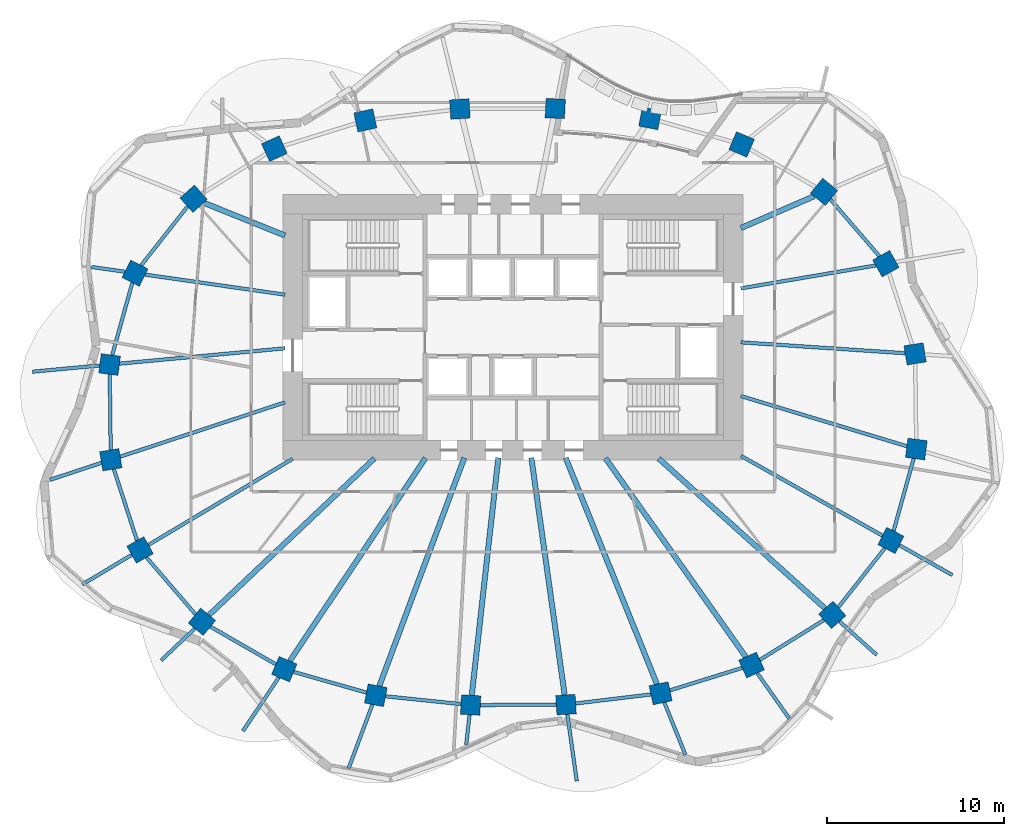
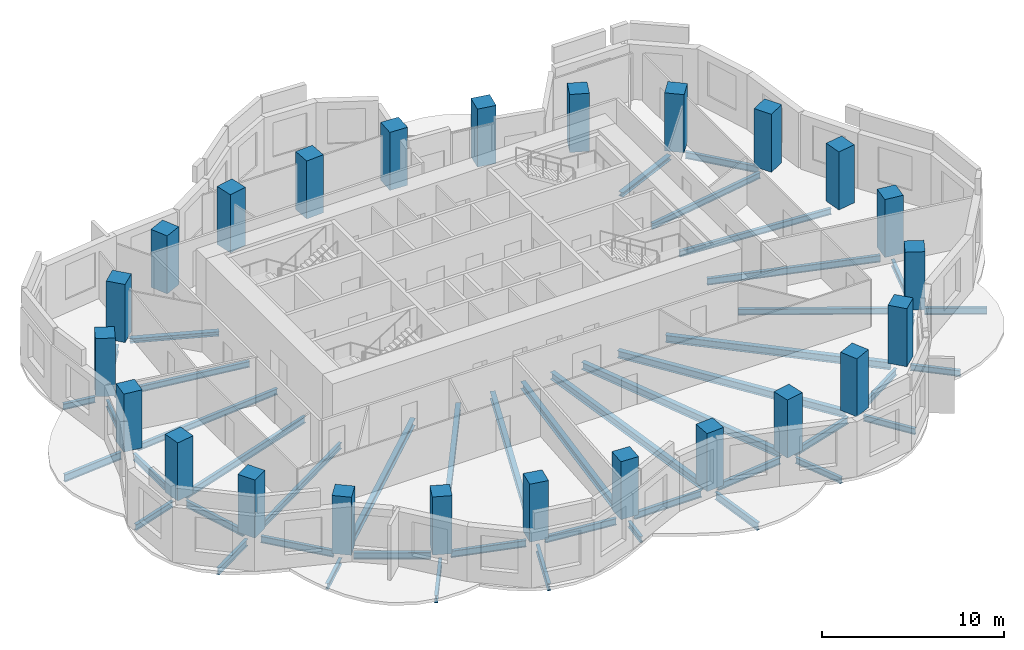
# One storey, part 1 of 11: 46 beams, 24 columns.
"""IFC4 building model written with IfcOpenShell, lengths in metres."""

from ifc_helpers import new_model, si_unit, direction, frame, origin, origin_2d, place, context, subcontext, project, spatial, rectangle, i_section, extrude, material, material_profile, profile_set, type_object, element, save


model = new_model("IFC4")

# Units and contexts
model_context = context("Model", 3, precision=1e-05, world=origin(), true_north=direction((0.0, 1.0)))
body_context = subcontext(model_context, "Body", "Model", "MODEL_VIEW")
ifc_project = project(units=[si_unit("LENGTHUNIT", "METRE"), si_unit("AREAUNIT", "SQUARE_METRE"), si_unit("VOLUMEUNIT", "CUBIC_METRE"), si_unit("PLANEANGLEUNIT", "RADIAN"), si_unit("MASSUNIT", "GRAM", prefix="KILO")], contexts=[model_context])

# Site, building, storey
site_placement = place(None, origin())
site = spatial("IfcSite", under=ifc_project, at=site_placement, CompositionType="ELEMENT")
building_placement = place(site_placement, origin())
building = spatial("IfcBuilding", under=site, at=building_placement, Name="Rubra Terraces Tower", CompositionType="ELEMENT")
storey_placement = place(building_placement, frame((0.0, 0.0, 146.10009765625)))
storey = spatial("IfcBuildingStorey", under=building, at=storey_placement, Name="L35", CompositionType="ELEMENT", Elevation=146.10009765625)

# Columns
ifc_material_1 = material(Name="Concrete C50", Category="concrete")
ifc_material_profile_1 = material_profile(ifc_material_1, rectangle(XDim=1.10009765625, YDim=1.10009765625, at=origin_2d()), Name="RC 1100x1100")
ifc_profile_set_1 = profile_set([ifc_material_profile_1], Name="Concrete C50")
column_type = type_object("IfcColumnType", Name="RING COLUMN RC 1100x1100 C50", PredefinedType="COLUMN", material=ifc_profile_set_1)
for number, where, z_axis, x_axis, name in (
    (1, (22.73388671875, 2.992919921875, 0.0), (0.0, 0.0, 1.0), (-0.162062155721, 0.986780551938, 0.0), "column-L35-ring-01"),
    (2, (21.0810546875, 8.090087890625, 0.0), (0.0, 0.0, 1.0), (-0.490161823029, 0.8716314515, 0.0), "column-L35-ring-02"),
    (3, (17.583984375, 12.15087890625, 0.0), (0.0, 0.0, 1.0), (-0.770679191336, 0.637223339216, 0.0), "column-L35-ring-03"),
    (4, (12.927001953125, 14.83203125, 0.0), (0.0, 0.0, 1.0), (-0.92110553102, 0.389312985558, 0.0), "column-L35-ring-04"),
    (5, (7.7509765625, 16.306884765625, 0.0), (0.0, 0.0, 1.0), (-0.981936574306, 0.189210369799, 0.0), "column-L35-ring-05"),
    (6, (2.39208984375, 16.862060546875, 0.0), (0.0, 0.0, 1.0), (-0.998791416829, 0.049149828786, 0.0), "column-L35-ring-06"),
    (7, (-2.9990234375, 16.8359375, 0.0), (0.0, 0.0, 1.0), (-0.998059443319, -0.062268351524, 0.0), "column-L35-ring-07"),
    (8, (-8.346923828125, 16.19189453125, 0.0), (0.0, 0.0, 1.0), (-0.977944102772, -0.208866780156, 0.0), "column-L35-ring-08"),
    (9, (-13.487060546875, 14.595947265625, 0.0), (0.0, 0.0, 1.0), (-0.90972649622, -0.415208022652, 0.0), "column-L35-ring-09"),
    (10, (-18.051025390625, 11.762939453125, 0.0), (0.0, 0.0, 1.0), (-0.7456420961, -0.66634665492, 0.0), "column-L35-ring-10"),
    (11, (-21.366943359375, 7.553955078125, 0.0), (0.0, 0.0, 1.0), (-0.452078869866, -0.891977968013, 0.0), "column-L35-ring-11"),
    (12, (-22.802001953125, 2.388916015625, 0.0), (0.0, 0.0, 1.0), (-0.128535191473, -0.991704948336, 0.0), "column-L35-ring-12"),
    (13, (-22.73388671875, -2.992919921875, 0.0), (0.0, 0.0, 1.0), (0.162062155721, -0.986780551938, 0.0), "column-L35-ring-13"),
    (14, (-21.0810546875, -8.090087890625, 0.0), (0.0, 0.0, 1.0), (0.490161823029, -0.8716314515, 0.0), "column-L35-ring-14"),
    (15, (-17.583984375, -12.15087890625, 0.0), (0.0, 0.0, 1.0), (0.770679191336, -0.637223339216, 0.0), "column-L35-ring-15"),
    (16, (-12.927001953125, -14.83203125, 0.0), (0.0, 0.0, 1.0), (0.92110553102, -0.389312985558, 0.0), "column-L35-ring-16"),
    (17, (-7.7509765625, -16.306884765625, 0.0), (0.0, 0.0, 1.0), (0.981936574306, -0.189210369799, 0.0), "column-L35-ring-17"),
    (18, (-2.39208984375, -16.862060546875, 0.0), (0.0, 0.0, 1.0), (0.998791416829, -0.049149828786, 0.0), "column-L35-ring-18"),
    (19, (2.9990234375, -16.8359375, 0.0), (0.0, 0.0, 1.0), (0.998059443319, 0.062268351524, 0.0), "column-L35-ring-19"),
    (20, (8.346923828125, -16.19189453125, 0.0), (0.0, 0.0, 1.0), (0.977944102772, 0.208866780156, 0.0), "column-L35-ring-20"),
    (21, (13.487060546875, -14.595947265625, 0.0), (0.0, 0.0, 1.0), (0.90972649622, 0.415208022652, 0.0), "column-L35-ring-21"),
    (22, (18.051025390625, -11.762939453125, 0.0), (0.0, 0.0, 1.0), (0.7456420961, 0.66634665492, 0.0), "column-L35-ring-22"),
    (23, (21.366943359375, -7.553955078125, 0.0), (0.0, 0.0, 1.0), (0.452078869866, 0.891977968013, 0.0), "column-L35-ring-23"),
    (24, (22.802001953125, -2.388916015625, 0.0), (0.0, 0.0, 1.0), (0.128535191473, 0.991704948336, 0.0), "column-L35-ring-24"),
):
    element("IfcColumn", number, at=place(storey_placement, frame(where, z_axis=z_axis, x_axis=x_axis)), inside=storey, type_object=column_type, Name=name, PredefinedType="COLUMN", context=body_context, shape_type="SweptSolid", body=[
        extrude(rectangle(XDim=1.10009765625, YDim=1.10009765625, at=origin_2d()), origin(), (0.0, 0.0, 1.0), 3.89990234375),
    ])

# Beams
ifc_material_2 = material(Name="Steel Q355B", Category="steel")
ifc_material_profile_2 = material_profile(ifc_material_2, i_section(OverallWidth=0.199951171875, OverallDepth=0.39990234375, WebThickness=0.008056640625, FlangeThickness=0.012939453125, at=origin_2d()), Name="HN 400x200x8x13")
ifc_profile_set_2 = profile_set([ifc_material_profile_2], Name="Steel Q355B")
beam_type_1 = type_object("IfcBeamType", Name="CANTILEVER BEAM HN 400x200x8x13", PredefinedType="BEAM", material=ifc_profile_set_2)
beam_1_placement = place(storey_placement, frame((-21.94189453125, 7.635986328125, -0.400146484375), z_axis=(-0.989957217172, 0.14136728111, 0.0), x_axis=(-0.14136728111, -0.989957217172, 0.0)))
element("IfcBeam", 25, at=beam_1_placement, inside=storey, type_object=beam_type_1, Name="beam-L35-cant-11", PredefinedType="BEAM", context=body_context, shape_type="SweptSolid", body=[
    extrude(i_section(OverallWidth=0.199951171875, OverallDepth=0.39990234375, WebThickness=0.008056640625, FlangeThickness=0.012939453125, at=origin_2d()), origin(), (0.0, 0.0, 1.0), 1.896240234375),
])
beam_2_placement = place(storey_placement, frame((-23.262939453125, -3.1669921875, -0.400146484375), z_axis=(-0.949761348488, -0.312975048394, 0.0), x_axis=(0.312975048394, -0.949761348488, 0.0)))
element("IfcBeam", 26, at=beam_2_placement, inside=storey, type_object=beam_type_1, Name="beam-L35-cant-13", PredefinedType="BEAM", context=body_context, shape_type="SweptSolid", body=[
    extrude(i_section(OverallWidth=0.199951171875, OverallDepth=0.39990234375, WebThickness=0.008056640625, FlangeThickness=0.012939453125, at=origin_2d()), origin(), (0.0, 0.0, 1.0), 3.064208984375),
])
beam_3_placement = place(storey_placement, frame((-17.986083984375, -12.531982421875, -0.400146484375), z_axis=(-0.726102150889, -0.68758684286, 0.0), x_axis=(0.68758684286, -0.726102150889, 0.0)))
element("IfcBeam", 27, at=beam_3_placement, inside=storey, type_object=beam_type_1, Name="beam-L35-cant-15", PredefinedType="BEAM", context=body_context, shape_type="SweptSolid", body=[
    extrude(i_section(OverallWidth=0.199951171875, OverallDepth=0.39990234375, WebThickness=0.008056640625, FlangeThickness=0.012939453125, at=origin_2d()), origin(), (0.0, 0.0, 1.0), 2.617919921875),
])
beam_4_placement = place(storey_placement, frame((-2.452880859375, -17.409912109375, -0.400146484375), z_axis=(-0.111841087875, -0.99372610465, 0.0), x_axis=(0.99372610465, -0.111841087875, 0.0)))
element("IfcBeam", 28, at=beam_4_placement, inside=storey, type_object=beam_type_1, Name="beam-L35-cant-18", PredefinedType="BEAM", context=body_context, shape_type="SweptSolid", body=[
    extrude(i_section(OverallWidth=0.199951171875, OverallDepth=0.39990234375, WebThickness=0.008056640625, FlangeThickness=0.012939453125, at=origin_2d()), origin(), (0.0, 0.0, 1.0), 1.691650390625),
])
beam_5_placement = place(storey_placement, frame((8.555908203125, -16.7099609375, -0.400146484375), z_axis=(0.374225202203, -0.927337855388, 0.0), x_axis=(0.927337855388, 0.374225202203, 0.0)))
element("IfcBeam", 29, at=beam_5_placement, inside=storey, type_object=beam_type_1, Name="beam-L35-cant-20", PredefinedType="BEAM", context=body_context, shape_type="SweptSolid", body=[
    extrude(i_section(OverallWidth=0.199951171875, OverallDepth=0.39990234375, WebThickness=0.008056640625, FlangeThickness=0.012939453125, at=origin_2d()), origin(), (0.0, 0.0, 1.0), 3.19091796875),
])
beam_6_placement = place(storey_placement, frame((13.81005859375, -15.052978515625, -0.400146484375), z_axis=(0.576664894768, -0.816980782603, 0.0), x_axis=(0.816980782603, 0.576664894768, 0.0)))
element("IfcBeam", 30, at=beam_6_placement, inside=storey, type_object=beam_type_1, Name="beam-L35-cant-21", PredefinedType="BEAM", context=body_context, shape_type="SweptSolid", body=[
    extrude(i_section(OverallWidth=0.199951171875, OverallDepth=0.39990234375, WebThickness=0.008056640625, FlangeThickness=0.012939453125, at=origin_2d()), origin(), (0.0, 0.0, 1.0), 3.142333984375),
])
beam_7_placement = place(storey_placement, frame((18.4619140625, -12.133056640625, -0.400146484375), z_axis=(0.742863981183, -0.669442383974, 0.0), x_axis=(0.669442383974, 0.742863981183, 0.0)))
element("IfcBeam", 31, at=beam_7_placement, inside=storey, type_object=beam_type_1, Name="beam-L35-cant-22", PredefinedType="BEAM", context=body_context, shape_type="SweptSolid", body=[
    extrude(i_section(OverallWidth=0.199951171875, OverallDepth=0.39990234375, WebThickness=0.008056640625, FlangeThickness=0.012939453125, at=origin_2d()), origin(), (0.0, 0.0, 1.0), 2.822998046875),
])
ifc_material_profile_3 = material_profile(ifc_material_2, i_section(OverallWidth=0.198974609375, OverallDepth=0.446044921875, WebThickness=0.008056640625, FlangeThickness=0.011962890625, at=origin_2d()), Name="HN 446x199x8x12")
ifc_profile_set_3 = profile_set([ifc_material_profile_3], Name="Steel Q355B")
beam_type_2 = type_object("IfcBeamType", Name="CANTILEVER BEAM HN 446x199x8x12", PredefinedType="BEAM", material=ifc_profile_set_3)
beam_8_placement = place(storey_placement, frame((-21.552978515625, -8.3720703125, -0.423095703125), z_axis=(-0.858497399832, -0.512817915523, 0.0), x_axis=(0.512817915523, -0.858497399832, 0.0)))
element("IfcBeam", 32, at=beam_8_placement, inside=storey, type_object=beam_type_2, Name="beam-L35-cant-14", PredefinedType="BEAM", context=body_context, shape_type="SweptSolid", body=[
    extrude(i_section(OverallWidth=0.198974609375, OverallDepth=0.446044921875, WebThickness=0.008056640625, FlangeThickness=0.011962890625, at=origin_2d()), origin(), (0.0, 0.0, 1.0), 3.25439453125),
])
beam_9_placement = place(storey_placement, frame((21.846923828125, -7.824951171875, -0.423095703125), z_axis=(0.871003430184, -0.491276932705, 0.0), x_axis=(0.491276932705, 0.871003430184, 0.0)))
element("IfcBeam", 33, at=beam_9_placement, inside=storey, type_object=beam_type_2, Name="beam-L35-cant-23", PredefinedType="BEAM", context=body_context, shape_type="SweptSolid", body=[
    extrude(i_section(OverallWidth=0.198974609375, OverallDepth=0.446044921875, WebThickness=0.008056640625, FlangeThickness=0.011962890625, at=origin_2d()), origin(), (0.0, 0.0, 1.0), 3.433837890625),
])
ifc_material_profile_4 = material_profile(ifc_material_2, i_section(OverallWidth=0.198974609375, OverallDepth=0.49609375, WebThickness=0.009033203125, FlangeThickness=0.013916015625, at=origin_2d()), Name="HN 496x199x9x14")
ifc_profile_set_4 = profile_set([ifc_material_profile_4], Name="Steel Q355B")
beam_type_3 = type_object("IfcBeamType", Name="CANTILEVER BEAM HN 496x199x9x14", PredefinedType="BEAM", material=ifc_profile_set_4)
beam_10_placement = place(storey_placement, frame((-23.363037109375, 2.3369140625, -0.447998046875), z_axis=(-0.995741870342, -0.092185289763, 0.0), x_axis=(0.092185289763, -0.995741870342, 0.0)))
element("IfcBeam", 34, at=beam_10_placement, inside=storey, type_object=beam_type_3, Name="beam-L35-cant-12", PredefinedType="BEAM", context=body_context, shape_type="SweptSolid", body=[
    extrude(i_section(OverallWidth=0.198974609375, OverallDepth=0.49609375, WebThickness=0.009033203125, FlangeThickness=0.013916015625, at=origin_2d()), origin(), (0.0, 0.0, 1.0), 3.81640625),
])
beam_11_placement = place(storey_placement, frame((-13.238037109375, -15.298095703125, -0.447998046875), z_axis=(-0.555843573912, -0.831286906754, 0.0), x_axis=(0.831286906754, -0.555843573912, 0.0)))
element("IfcBeam", 35, at=beam_11_placement, inside=storey, type_object=beam_type_3, Name="beam-L35-cant-16", PredefinedType="BEAM", context=body_context, shape_type="SweptSolid", body=[
    extrude(i_section(OverallWidth=0.198974609375, OverallDepth=0.49609375, WebThickness=0.009033203125, FlangeThickness=0.013916015625, at=origin_2d()), origin(), (0.0, 0.0, 1.0), 3.644775390625),
])
beam_12_placement = place(storey_placement, frame((-7.946044921875, -16.830078125, -0.447998046875), z_axis=(-0.34900656009, -0.937120280975, 0.0), x_axis=(0.937120280975, -0.34900656009, 0.0)))
element("IfcBeam", 36, at=beam_12_placement, inside=storey, type_object=beam_type_3, Name="beam-L35-cant-17", PredefinedType="BEAM", context=body_context, shape_type="SweptSolid", body=[
    extrude(i_section(OverallWidth=0.198974609375, OverallDepth=0.49609375, WebThickness=0.009033203125, FlangeThickness=0.013916015625, at=origin_2d()), origin(), (0.0, 0.0, 1.0), 3.8564453125),
])
beam_13_placement = place(storey_placement, frame((3.075927734375, -17.382080078125, -0.447998046875), z_axis=(0.139115411885, -0.990276174699, 0.0), x_axis=(0.990276174699, 0.139115411885, 0.0)))
element("IfcBeam", 37, at=beam_13_placement, inside=storey, type_object=beam_type_3, Name="beam-L35-cant-19", PredefinedType="BEAM", context=body_context, shape_type="SweptSolid", body=[
    extrude(i_section(OverallWidth=0.198974609375, OverallDepth=0.49609375, WebThickness=0.009033203125, FlangeThickness=0.013916015625, at=origin_2d()), origin(), (0.0, 0.0, 1.0), 3.81005859375),
])
ifc_material_profile_5 = material_profile(ifc_material_2, i_section(OverallWidth=0.300048828125, OverallDepth=0.48193359375, WebThickness=0.010986328125, FlangeThickness=0.014892578125, at=origin_2d()), Name="HM 482x300x11x15")
ifc_profile_set_5 = profile_set([ifc_material_profile_5], Name="Steel Q355B")
beam_type_4 = type_object("IfcBeamType", Name="FLOOR BEAM HM 482x300x11x15", PredefinedType="BEAM", material=ifc_profile_set_5)
beam_14_placement = place(storey_placement, frame((-17.181884765625, -11.77001953125, -0.441162109375), z_axis=(0.726100153208, 0.687588952436, 0.0), x_axis=(-0.687588952436, 0.726100153208, 0.0)))
element("IfcBeam", 38, at=beam_14_placement, inside=storey, type_object=beam_type_4, Name="beam-L35-floor-15", PredefinedType="BEAM", context=body_context, shape_type="SweptSolid", body=[
    extrude(i_section(OverallWidth=0.300048828125, OverallDepth=0.48193359375, WebThickness=0.010986328125, FlangeThickness=0.014892578125, at=origin_2d()), origin(), (0.0, 0.0, 1.0), 12.87548828125),
])
beam_15_placement = place(storey_placement, frame((-12.615966796875, -14.365966796875, -0.441162109375), z_axis=(0.555900449773, 0.831248873649, 0.0), x_axis=(-0.831248873649, 0.555900449773, 0.0)))
element("IfcBeam", 39, at=beam_15_placement, inside=storey, type_object=beam_type_4, Name="beam-L35-floor-16", PredefinedType="BEAM", context=body_context, shape_type="SweptSolid", body=[
    extrude(i_section(OverallWidth=0.300048828125, OverallDepth=0.48193359375, WebThickness=0.010986328125, FlangeThickness=0.014892578125, at=origin_2d()), origin(), (0.0, 0.0, 1.0), 13.793701171875),
])
beam_16_placement = place(storey_placement, frame((-7.555908203125, -15.783935546875, -0.441162109375), z_axis=(0.349081226263, 0.937092470075, 0.0), x_axis=(-0.937092470075, 0.349081226263, 0.0)))
element("IfcBeam", 40, at=beam_16_placement, inside=storey, type_object=beam_type_4, Name="beam-L35-floor-17", PredefinedType="BEAM", context=body_context, shape_type="SweptSolid", body=[
    extrude(i_section(OverallWidth=0.300048828125, OverallDepth=0.48193359375, WebThickness=0.010986328125, FlangeThickness=0.014892578125, at=origin_2d()), origin(), (0.0, 0.0, 1.0), 13.76171875),
])
beam_17_placement = place(storey_placement, frame((-2.3310546875, -16.31396484375, -0.441162109375), z_axis=(0.111351311584, 0.993781105379, 0.0), x_axis=(-0.993781105379, 0.111351311584, 0.0)))
element("IfcBeam", 41, at=beam_17_placement, inside=storey, type_object=beam_type_4, Name="beam-L35-floor-18", PredefinedType="BEAM", context=body_context, shape_type="SweptSolid", body=[
    extrude(i_section(OverallWidth=0.300048828125, OverallDepth=0.48193359375, WebThickness=0.010986328125, FlangeThickness=0.014892578125, at=origin_2d()), origin(), (0.0, 0.0, 1.0), 13.516845703125),
])
beam_18_placement = place(storey_placement, frame((2.922119140625, -16.2900390625, -0.441162109375), z_axis=(-0.139139078011, 0.990272849759, 0.0), x_axis=(-0.990272849759, -0.139139078011, 0.0)))
element("IfcBeam", 42, at=beam_18_placement, inside=storey, type_object=beam_type_4, Name="beam-L35-floor-19", PredefinedType="BEAM", context=body_context, shape_type="SweptSolid", body=[
    extrude(i_section(OverallWidth=0.300048828125, OverallDepth=0.48193359375, WebThickness=0.010986328125, FlangeThickness=0.014892578125, at=origin_2d()), origin(), (0.0, 0.0, 1.0), 13.54052734375),
])
beam_19_placement = place(storey_placement, frame((8.137939453125, -15.674072265625, -0.441162109375), z_axis=(-0.374072995757, 0.927399263449, 0.0), x_axis=(-0.927399263449, -0.374072995757, 0.0)))
element("IfcBeam", 43, at=beam_19_placement, inside=storey, type_object=beam_type_4, Name="beam-L35-floor-20", PredefinedType="BEAM", context=body_context, shape_type="SweptSolid", body=[
    extrude(i_section(OverallWidth=0.300048828125, OverallDepth=0.48193359375, WebThickness=0.010986328125, FlangeThickness=0.014892578125, at=origin_2d()), origin(), (0.0, 0.0, 1.0), 13.7861328125),
])
beam_20_placement = place(storey_placement, frame((13.1640625, -14.138916015625, -0.441162109375), z_axis=(-0.576885242087, 0.816825206187, 0.0), x_axis=(-0.816825206187, -0.576885242087, 0.0)))
element("IfcBeam", 44, at=beam_20_placement, inside=storey, type_object=beam_type_4, Name="beam-L35-floor-21", PredefinedType="BEAM", context=body_context, shape_type="SweptSolid", body=[
    extrude(i_section(OverallWidth=0.300048828125, OverallDepth=0.48193359375, WebThickness=0.010986328125, FlangeThickness=0.014892578125, at=origin_2d()), origin(), (0.0, 0.0, 1.0), 13.756591796875),
])
beam_21_placement = place(storey_placement, frame((17.639892578125, -11.39306640625, -0.441162109375), z_axis=(-0.742946892742, 0.669350367569, 0.0), x_axis=(-0.669350367569, -0.742946892742, 0.0)))
element("IfcBeam", 45, at=beam_21_placement, inside=storey, type_object=beam_type_4, Name="beam-L35-floor-22", PredefinedType="BEAM", context=body_context, shape_type="SweptSolid", body=[
    extrude(i_section(OverallWidth=0.300048828125, OverallDepth=0.48193359375, WebThickness=0.010986328125, FlangeThickness=0.014892578125, at=origin_2d()), origin(), (0.0, 0.0, 1.0), 12.65869140625),
])
ifc_material_profile_6 = material_profile(ifc_material_2, i_section(OverallWidth=0.199951171875, OverallDepth=0.39990234375, WebThickness=0.008056640625, FlangeThickness=0.012939453125, at=origin_2d()), Name="HN 400x200x8x13")
ifc_profile_set_6 = profile_set([ifc_material_profile_6], Name="Steel Q355B")
beam_type_5 = type_object("IfcBeamType", Name="FLOOR BEAM HN 400x200x8x13", PredefinedType="BEAM", material=ifc_profile_set_6)
beam_22_placement = place(storey_placement, frame((22.169921875, 3.030029296875, -0.400146484375), z_axis=(-0.997809110543, 0.0661587403, 0.0), x_axis=(-0.0661587403, -0.997809110543, 0.0)))
element("IfcBeam", 46, at=beam_22_placement, inside=storey, type_object=beam_type_5, Name="beam-L35-floor-01", PredefinedType="BEAM", context=body_context, shape_type="SweptSolid", body=[
    extrude(i_section(OverallWidth=0.199951171875, OverallDepth=0.39990234375, WebThickness=0.008056640625, FlangeThickness=0.012939453125, at=origin_2d()), origin(), (0.0, 0.0, 1.0), 9.310546875),
])
beam_23_placement = place(storey_placement, frame((20.5048828125, 7.991943359375, -0.400146484375), z_axis=(-0.985813612303, -0.167843742209, 0.0), x_axis=(0.167843742209, -0.985813612303, 0.0)))
element("IfcBeam", 47, at=beam_23_placement, inside=storey, type_object=beam_type_5, Name="beam-L35-floor-02", PredefinedType="BEAM", context=body_context, shape_type="SweptSolid", body=[
    extrude(i_section(OverallWidth=0.199951171875, OverallDepth=0.39990234375, WebThickness=0.008056640625, FlangeThickness=0.012939453125, at=origin_2d()), origin(), (0.0, 0.0, 1.0), 7.732421875),
])
beam_24_placement = place(storey_placement, frame((-20.7919921875, 7.471923828125, -0.400146484375), z_axis=(0.989936658262, -0.141511174924, 0.0), x_axis=(0.141511174924, 0.989936658262, 0.0)))
element("IfcBeam", 48, at=beam_24_placement, inside=storey, type_object=beam_type_5, Name="beam-L35-floor-11", PredefinedType="BEAM", context=body_context, shape_type="SweptSolid", body=[
    extrude(i_section(OverallWidth=0.199951171875, OverallDepth=0.39990234375, WebThickness=0.008056640625, FlangeThickness=0.012939453125, at=origin_2d()), origin(), (0.0, 0.0, 1.0), 7.9912109375),
])
beam_25_placement = place(storey_placement, frame((-22.240966796875, 2.44091796875, -0.400146484375), z_axis=(0.995735462061, 0.092254482791, 0.0), x_axis=(-0.092254482791, 0.995735462061, 0.0)))
element("IfcBeam", 49, at=beam_25_placement, inside=storey, type_object=beam_type_5, Name="beam-L35-floor-12", PredefinedType="BEAM", context=body_context, shape_type="SweptSolid", body=[
    extrude(i_section(OverallWidth=0.199951171875, OverallDepth=0.39990234375, WebThickness=0.008056640625, FlangeThickness=0.012939453125, at=origin_2d()), origin(), (0.0, 0.0, 1.0), 9.39990234375),
])
beam_26_placement = place(storey_placement, frame((-20.60888671875, -7.80810546875, -0.400146484375), z_axis=(0.858520950698, 0.51277848747, 0.0), x_axis=(-0.51277848747, 0.858520950698, 0.0)))
element("IfcBeam", 50, at=beam_26_placement, inside=storey, type_object=beam_type_5, Name="beam-L35-floor-14", PredefinedType="BEAM", context=body_context, shape_type="SweptSolid", body=[
    extrude(i_section(OverallWidth=0.199951171875, OverallDepth=0.39990234375, WebThickness=0.008056640625, FlangeThickness=0.012939453125, at=origin_2d()), origin(), (0.0, 0.0, 1.0), 9.49755859375),
])
beam_27_placement = place(storey_placement, frame((20.886962890625, -7.282958984375, -0.400146484375), z_axis=(-0.870988685804, 0.491303072656, 0.0), x_axis=(-0.491303072656, -0.870988685804, 0.0)))
element("IfcBeam", 51, at=beam_27_placement, inside=storey, type_object=beam_type_5, Name="beam-L35-floor-23", PredefinedType="BEAM", context=body_context, shape_type="SweptSolid", body=[
    extrude(i_section(OverallWidth=0.199951171875, OverallDepth=0.39990234375, WebThickness=0.008056640625, FlangeThickness=0.012939453125, at=origin_2d()), origin(), (0.0, 0.0, 1.0), 9.17578125),
])
ifc_material_profile_7 = material_profile(ifc_material_2, i_section(OverallWidth=0.198974609375, OverallDepth=0.446044921875, WebThickness=0.008056640625, FlangeThickness=0.011962890625, at=origin_2d()), Name="HN 446x199x8x12")
ifc_profile_set_7 = profile_set([ifc_material_profile_7], Name="Steel Q355B")
beam_type_6 = type_object("IfcBeamType", Name="FLOOR BEAM HN 446x199x8x12", PredefinedType="BEAM", material=ifc_profile_set_7)
beam_28_placement = place(storey_placement, frame((-22.205078125, -2.819091796875, -0.423095703125), z_axis=(0.949728041792, 0.313076103583, 0.0), x_axis=(-0.313076103583, 0.949728041792, 0.0)))
element("IfcBeam", 52, at=beam_28_placement, inside=storey, type_object=beam_type_6, Name="beam-L35-floor-13", PredefinedType="BEAM", context=body_context, shape_type="SweptSolid", body=[
    extrude(i_section(OverallWidth=0.198974609375, OverallDepth=0.446044921875, WebThickness=0.008056640625, FlangeThickness=0.011962890625, at=origin_2d()), origin(), (0.0, 0.0, 1.0), 9.8125),
])
beam_29_placement = place(storey_placement, frame((22.26806640625, -2.22802734375, -0.423095703125), z_axis=(-0.957261634756, 0.289223378419, 0.0), x_axis=(-0.289223378419, -0.957261634756, 0.0)))
element("IfcBeam", 53, at=beam_29_placement, inside=storey, type_object=beam_type_6, Name="beam-L35-floor-24", PredefinedType="BEAM", context=body_context, shape_type="SweptSolid", body=[
    extrude(i_section(OverallWidth=0.198974609375, OverallDepth=0.446044921875, WebThickness=0.008056640625, FlangeThickness=0.011962890625, at=origin_2d()), origin(), (0.0, 0.0, 1.0), 9.802001953125),
])
ifc_material_profile_8 = material_profile(ifc_material_2, i_section(OverallWidth=0.304931640625, OverallDepth=0.300048828125, WebThickness=0.014892578125, FlangeThickness=0.014892578125, at=origin_2d()), Name="HW 300x305x15x15")
ifc_profile_set_8 = profile_set([ifc_material_profile_8], Name="Steel Q355B")
beam_type_7 = type_object("IfcBeamType", Name="FLOOR BEAM HW 300x305x15x15", PredefinedType="BEAM", material=ifc_profile_set_8)
beam_30_placement = place(storey_placement, frame((17.01806640625, 11.905029296875, -0.35009765625), z_axis=(-0.916965704309, -0.398966035047, 0.0), x_axis=(0.398966035047, -0.916965704309, 0.0)))
element("IfcBeam", 54, at=beam_30_placement, inside=storey, type_object=beam_type_7, Name="beam-L35-floor-03", PredefinedType="BEAM", context=body_context, shape_type="SweptSolid", body=[
    extrude(i_section(OverallWidth=0.304931640625, OverallDepth=0.300048828125, WebThickness=0.014892578125, FlangeThickness=0.014892578125, at=origin_2d()), origin(), (0.0, 0.0, 1.0), 4.501953125),
])
beam_31_placement = place(storey_placement, frame((-17.48193359375, 11.533935546875, -0.35009765625), z_axis=(0.927730023822, -0.373251929533, 0.0), x_axis=(0.373251929533, 0.927730023822, 0.0)))
element("IfcBeam", 55, at=beam_31_placement, inside=storey, type_object=beam_type_7, Name="beam-L35-floor-10", PredefinedType="BEAM", context=body_context, shape_type="SweptSolid", body=[
    extrude(i_section(OverallWidth=0.304931640625, OverallDepth=0.300048828125, WebThickness=0.014892578125, FlangeThickness=0.014892578125, at=origin_2d()), origin(), (0.0, 0.0, 1.0), 4.950927734375),
])
ifc_material_profile_9 = material_profile(ifc_material_2, i_section(OverallWidth=0.198974609375, OverallDepth=0.446044921875, WebThickness=0.008056640625, FlangeThickness=0.011962890625, at=origin_2d()), Name="HN 446x199x8x12")
ifc_profile_set_9 = profile_set([ifc_material_profile_9], Name="Steel Q355B")
beam_type_8 = type_object("IfcBeamType", Name="SPANDREL BEAM HN 446x199x8x12", PredefinedType="SPANDREL", material=ifc_profile_set_9)
beam_32_placement = place(storey_placement, frame((20.715087890625, 8.514892578125, -0.423095703125), z_axis=(-0.65255344008, 0.757742705567, 0.0), x_axis=(-0.757742705567, -0.65255344008, 0.0)))
element("IfcBeam", 56, at=beam_32_placement, inside=storey, type_object=beam_type_8, Name="beam-L35-spandrel-02", PredefinedType="SPANDREL", context=body_context, shape_type="SweptSolid", body=[
    extrude(i_section(OverallWidth=0.198974609375, OverallDepth=0.446044921875, WebThickness=0.008056640625, FlangeThickness=0.011962890625, at=origin_2d()), origin(), (0.0, 0.0, 1.0), 4.240478515625),
])
beam_33_placement = place(storey_placement, frame((-18.39697265625, 11.323974609375, -0.423095703125), z_axis=(-0.618917461688, -0.785456030353, 0.0), x_axis=(0.785456030353, -0.618917461688, 0.0)))
element("IfcBeam", 57, at=beam_33_placement, inside=storey, type_object=beam_type_8, Name="beam-L35-spandrel-10", PredefinedType="SPANDREL", context=body_context, shape_type="SweptSolid", body=[
    extrude(i_section(OverallWidth=0.198974609375, OverallDepth=0.446044921875, WebThickness=0.008056640625, FlangeThickness=0.011962890625, at=origin_2d()), origin(), (0.0, 0.0, 1.0), 4.238037109375),
])
beam_34_placement = place(storey_placement, frame((-21.51708984375, 7.013916015625, -0.423095703125), z_axis=(-0.267626064819, -0.96352285361, 0.0), x_axis=(0.96352285361, -0.267626064819, 0.0)))
element("IfcBeam", 58, at=beam_34_placement, inside=storey, type_object=beam_type_8, Name="beam-L35-spandrel-11", PredefinedType="SPANDREL", context=body_context, shape_type="SweptSolid", body=[
    extrude(i_section(OverallWidth=0.198974609375, OverallDepth=0.446044921875, WebThickness=0.008056640625, FlangeThickness=0.011962890625, at=origin_2d()), origin(), (0.0, 0.0, 1.0), 4.24462890625),
])
beam_35_placement = place(storey_placement, frame((-22.794921875, 1.8330078125, -0.423095703125), z_axis=(0.012634783266, -0.99992017794, 0.0), x_axis=(0.99992017794, 0.012634783266, 0.0)))
element("IfcBeam", 59, at=beam_35_placement, inside=storey, type_object=beam_type_8, Name="beam-L35-spandrel-12", PredefinedType="SPANDREL", context=body_context, shape_type="SweptSolid", body=[
    extrude(i_section(OverallWidth=0.198974609375, OverallDepth=0.446044921875, WebThickness=0.008056640625, FlangeThickness=0.011962890625, at=origin_2d()), origin(), (0.0, 0.0, 1.0), 4.270263671875),
])
beam_36_placement = place(storey_placement, frame((-22.56201171875, -3.52197265625, -0.423095703125), z_axis=(0.308462461648, -0.951236516201, 0.0), x_axis=(0.951236516201, 0.308462461648, 0.0)))
element("IfcBeam", 60, at=beam_36_placement, inside=storey, type_object=beam_type_8, Name="beam-L35-spandrel-13", PredefinedType="SPANDREL", context=body_context, shape_type="SweptSolid", body=[
    extrude(i_section(OverallWidth=0.198974609375, OverallDepth=0.446044921875, WebThickness=0.008056640625, FlangeThickness=0.011962890625, at=origin_2d()), origin(), (0.0, 0.0, 1.0), 4.24072265625),
])
beam_37_placement = place(storey_placement, frame((-20.715087890625, -8.514892578125, -0.423095703125), z_axis=(0.65255344008, -0.757742705567, 0.0), x_axis=(0.757742705567, 0.65255344008, 0.0)))
element("IfcBeam", 61, at=beam_37_placement, inside=storey, type_object=beam_type_8, Name="beam-L35-spandrel-14", PredefinedType="SPANDREL", context=body_context, shape_type="SweptSolid", body=[
    extrude(i_section(OverallWidth=0.198974609375, OverallDepth=0.446044921875, WebThickness=0.008056640625, FlangeThickness=0.011962890625, at=origin_2d()), origin(), (0.0, 0.0, 1.0), 4.240478515625),
])
beam_38_placement = place(storey_placement, frame((-17.10009765625, -12.428955078125, -0.423095703125), z_axis=(0.866560147027, -0.49907265161, 0.0), x_axis=(0.49907265161, 0.866560147027, 0.0)))
element("IfcBeam", 62, at=beam_38_placement, inside=storey, type_object=beam_type_8, Name="beam-L35-spandrel-15", PredefinedType="SPANDREL", context=body_context, shape_type="SweptSolid", body=[
    extrude(i_section(OverallWidth=0.198974609375, OverallDepth=0.446044921875, WebThickness=0.008056640625, FlangeThickness=0.011962890625, at=origin_2d()), origin(), (0.0, 0.0, 1.0), 4.26171875),
])
beam_39_placement = place(storey_placement, frame((-12.39404296875, -14.98388671875, -0.423095703125), z_axis=(0.961693978406, -0.274125321518, 0.0), x_axis=(0.274125321518, 0.961693978406, 0.0)))
element("IfcBeam", 63, at=beam_39_placement, inside=storey, type_object=beam_type_8, Name="beam-L35-spandrel-16", PredefinedType="SPANDREL", context=body_context, shape_type="SweptSolid", body=[
    extrude(i_section(OverallWidth=0.198974609375, OverallDepth=0.446044921875, WebThickness=0.008056640625, FlangeThickness=0.011962890625, at=origin_2d()), origin(), (0.0, 0.0, 1.0), 4.27587890625),
])
beam_40_placement = place(storey_placement, frame((-7.201904296875, -16.364013671875, -0.423095703125), z_axis=(0.994691190497, -0.102904983103, 0.0), x_axis=(0.102904983103, 0.994691190497, 0.0)))
element("IfcBeam", 64, at=beam_40_placement, inside=storey, type_object=beam_type_8, Name="beam-L35-spandrel-17", PredefinedType="SPANDREL", context=body_context, shape_type="SweptSolid", body=[
    extrude(i_section(OverallWidth=0.198974609375, OverallDepth=0.446044921875, WebThickness=0.008056640625, FlangeThickness=0.011962890625, at=origin_2d()), origin(), (0.0, 0.0, 1.0), 4.28466796875),
])
beam_41_placement = place(storey_placement, frame((-1.841064453125, -16.85888671875, -0.423095703125), z_axis=(0.999989371096, 0.004610606731, 0.0), x_axis=(-0.004610606731, 0.999989371096, 0.0)))
element("IfcBeam", 65, at=beam_41_placement, inside=storey, type_object=beam_type_8, Name="beam-L35-spandrel-18", PredefinedType="SPANDREL", context=body_context, shape_type="SweptSolid", body=[
    extrude(i_section(OverallWidth=0.198974609375, OverallDepth=0.446044921875, WebThickness=0.008056640625, FlangeThickness=0.011962890625, at=origin_2d()), origin(), (0.0, 0.0, 1.0), 4.2890625),
])
beam_42_placement = place(storey_placement, frame((3.5458984375, -16.77001953125, -0.423095703125), z_axis=(0.992833084949, 0.119509269223, 0.0), x_axis=(-0.119509269223, 0.992833084949, 0.0)))
element("IfcBeam", 66, at=beam_42_placement, inside=storey, type_object=beam_type_8, Name="beam-L35-spandrel-19", PredefinedType="SPANDREL", context=body_context, shape_type="SweptSolid", body=[
    extrude(i_section(OverallWidth=0.198974609375, OverallDepth=0.446044921875, WebThickness=0.008056640625, FlangeThickness=0.011962890625, at=origin_2d()), origin(), (0.0, 0.0, 1.0), 4.283935546875),
])
beam_43_placement = place(storey_placement, frame((8.8740234375, -16.028076171875, -0.423095703125), z_axis=(0.955002801089, 0.296596780008, 0.0), x_axis=(-0.296596780008, 0.955002801089, 0.0)))
element("IfcBeam", 67, at=beam_43_placement, inside=storey, type_object=beam_type_8, Name="beam-L35-spandrel-20", PredefinedType="SPANDREL", context=body_context, shape_type="SweptSolid", body=[
    extrude(i_section(OverallWidth=0.198974609375, OverallDepth=0.446044921875, WebThickness=0.008056640625, FlangeThickness=0.011962890625, at=origin_2d()), origin(), (0.0, 0.0, 1.0), 4.275390625),
])
beam_44_placement = place(storey_placement, frame((13.9580078125, -14.303955078125, -0.423095703125), z_axis=(0.849549830498, 0.527508374816, 0.0), x_axis=(-0.527508374816, 0.849549830498, 0.0)))
element("IfcBeam", 68, at=beam_44_placement, inside=storey, type_object=beam_type_8, Name="beam-L35-spandrel-21", PredefinedType="SPANDREL", context=body_context, shape_type="SweptSolid", body=[
    extrude(i_section(OverallWidth=0.198974609375, OverallDepth=0.446044921875, WebThickness=0.008056640625, FlangeThickness=0.011962890625, at=origin_2d()), origin(), (0.0, 0.0, 1.0), 4.259765625),
])
beam_45_placement = place(storey_placement, frame((18.39697265625, -11.323974609375, -0.423095703125), z_axis=(0.618917461688, 0.785456030353, 0.0), x_axis=(-0.785456030353, 0.618917461688, 0.0)))
element("IfcBeam", 69, at=beam_45_placement, inside=storey, type_object=beam_type_8, Name="beam-L35-spandrel-22", PredefinedType="SPANDREL", context=body_context, shape_type="SweptSolid", body=[
    extrude(i_section(OverallWidth=0.198974609375, OverallDepth=0.446044921875, WebThickness=0.008056640625, FlangeThickness=0.011962890625, at=origin_2d()), origin(), (0.0, 0.0, 1.0), 4.238037109375),
])
beam_46_placement = place(storey_placement, frame((21.51708984375, -7.013916015625, -0.423095703125), z_axis=(0.267626064819, 0.96352285361, 0.0), x_axis=(-0.96352285361, 0.267626064819, 0.0)))
element("IfcBeam", 70, at=beam_46_placement, inside=storey, type_object=beam_type_8, Name="beam-L35-spandrel-23", PredefinedType="SPANDREL", context=body_context, shape_type="SweptSolid", body=[
    extrude(i_section(OverallWidth=0.198974609375, OverallDepth=0.446044921875, WebThickness=0.008056640625, FlangeThickness=0.011962890625, at=origin_2d()), origin(), (0.0, 0.0, 1.0), 4.24462890625),
])

save(model, "model.ifc")
